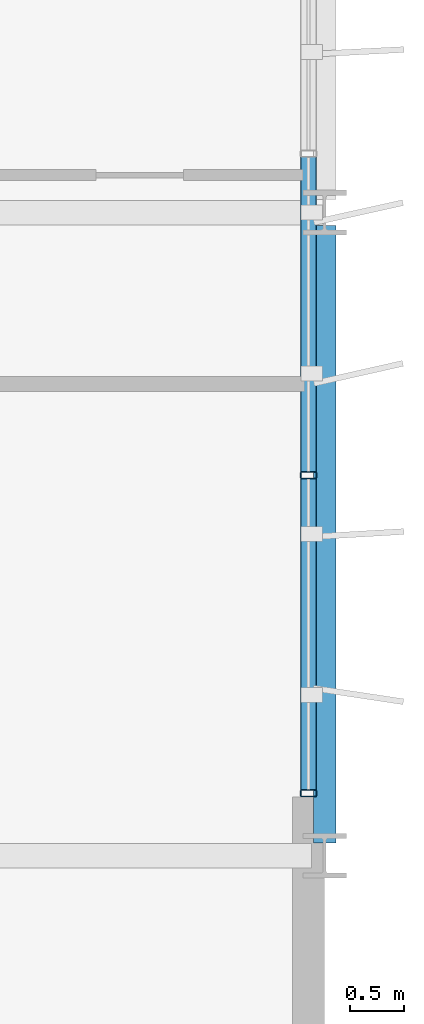
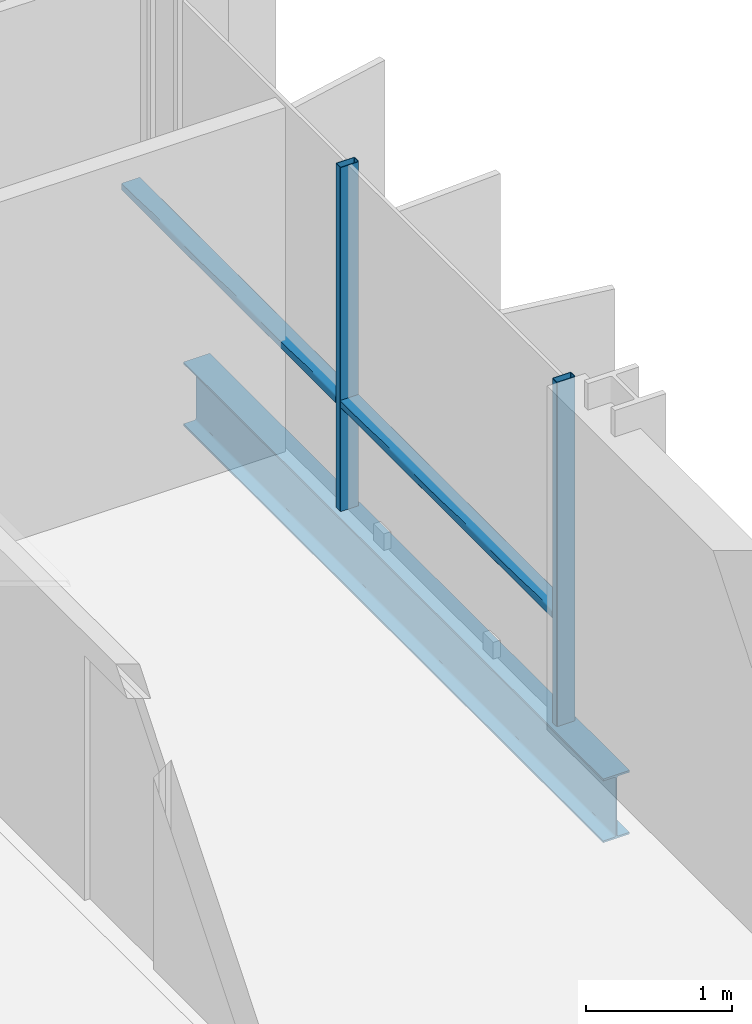
# One storey, part 17 of 38: 4 members, 1 beam, 1 element without a shape of its own.
"""IFC4 building model written with IfcOpenShell, lengths in metres."""

from ifc_helpers import new_model, si_unit, direction, frame, origin, origin_2d, place, context, subcontext, project, spatial, hollow_rectangle, i_section, extrude, material, layer, layer_set, material_profile, profile_set, type_object, element, aggregate, save


model = new_model("IFC4")

# Units and contexts
model_context = context("Model", 3, precision=1e-05, world=origin(), true_north=direction((0.0, 1.0)))
body_context = subcontext(model_context, "Body", "Model", "MODEL_VIEW")
ifc_project = project(units=[si_unit("LENGTHUNIT", "METRE"), si_unit("AREAUNIT", "SQUARE_METRE"), si_unit("VOLUMEUNIT", "CUBIC_METRE"), si_unit("PLANEANGLEUNIT", "RADIAN"), si_unit("MASSUNIT", "GRAM", prefix="KILO")], contexts=[model_context])

# Site, building, storey
site_placement = place(None, origin())
site = spatial("IfcSite", under=ifc_project, at=site_placement, CompositionType="ELEMENT")
building_placement = place(site_placement, origin())
building = spatial("IfcBuilding", under=site, at=building_placement, Name="Brevholm Reach", CompositionType="ELEMENT")
storey_placement = place(building_placement, frame((0.0, 0.0, 141.800048828125)))
storey = spatial("IfcBuildingStorey", under=building, at=storey_placement, Name="L42", CompositionType="ELEMENT", Elevation=141.800048828125)

# Beam
ifc_material_1 = material(Name="Structural Steel S355J2", Category="steel")
ifc_material_profile_1 = material_profile(ifc_material_1, i_section(OverallWidth=0.209228515625, OverallDepth=0.533203125, WebThickness=0.010009765625, FlangeThickness=0.015625, FilletRadius=0.0126953125, at=origin_2d()), Name="UKB 533x210x92")
ifc_profile_set_1 = profile_set([ifc_material_profile_1], Name="Structural Steel S355J2")
beam_type = type_object("IfcBeamType", Name="BM-SP533", PredefinedType="SPANDREL", material=ifc_profile_set_1)
beam_placement = place(storey_placement, frame((60.0, 10.1201171875, -0.486572265625), z_axis=(0.0, 1.0, 0.0), x_axis=(-1.0, 0.0, 0.0)))
element("IfcBeam", 1, at=beam_placement, inside=storey, type_object=beam_type, Name="L42 SP-02 Framing Beam", PredefinedType="SPANDREL", context=body_context, shape_type="SweptSolid", body=[
    extrude(i_section(OverallWidth=0.209228515625, OverallDepth=0.533203125, WebThickness=0.010009765625, FlangeThickness=0.015625, FilletRadius=0.0126953125, at=origin_2d()), origin(), (0.0, 0.0, 1.0), 5.759765625),
])

# Curtain wall, members
ifc_material_2 = material(Name="Dark Anodised Aluminium 6063-T6 and Solar-Control Glass", Category="aluminium")
ifc_layer = layer(ifc_material_2, 0.14990234375)
ifc_layer_set = layer_set([ifc_layer], Name="Dark Anodised Aluminium 6063-T6 and Solar-Control Glass")
curtain_wall_type = type_object("IfcCurtainWallType", Name="CW-01", PredefinedType="NOTDEFINED", material=ifc_layer_set)
curtain_wall_placement = place(storey_placement, origin())
curtain_wall = element("IfcCurtainWall", 2, at=curtain_wall_placement, inside=storey, type_object=curtain_wall_type, Name="L42 Curtain Wall CW-01", PredefinedType="NOTDEFINED")
ifc_material_3 = material(Name="Dark Anodised Aluminium 6063-T6", Category="aluminium")
ifc_material_profile_2 = material_profile(ifc_material_3, hollow_rectangle(XDim=0.06494140625, YDim=0.14990234375, WallThickness=0.0048828125, InnerFilletRadius=0.0048828125, OuterFilletRadius=0.010009765625, at=origin_2d()), Name="RHS 150x65x5")
ifc_profile_set_2 = profile_set([ifc_material_profile_2], Name="Dark Anodised Aluminium 6063-T6")
member_type_1 = type_object("IfcMemberType", Name="CWM-150", PredefinedType="MULLION", material=ifc_profile_set_2)
member_1_placement = place(storey_placement, frame((59.85009765625, 10.58251953125, 0.0), z_axis=(0.0, 0.0, 1.0), x_axis=(0.0, 1.0, 0.0)))
member_1 = element("IfcMember", 3, at=member_1_placement, type_object=member_type_1, Name="CM-150 Mullion 1", PredefinedType="MULLION", context=body_context, shape_type="SweptSolid", body=[
    extrude(hollow_rectangle(XDim=0.06494140625, YDim=0.14990234375, WallThickness=0.0048828125, InnerFilletRadius=0.0048828125, OuterFilletRadius=0.010009765625, at=origin_2d()), origin(), (0.0, 0.0, 1.0), 2.8798828125),
])
member_2_placement = place(storey_placement, frame((59.85009765625, 13.550048828125, 0.0), z_axis=(0.0, 0.0, 1.0), x_axis=(0.0, 1.0, 0.0)))
member_2 = element("IfcMember", 4, at=member_2_placement, type_object=member_type_1, Name="CM-150 Mullion 2", PredefinedType="MULLION", context=body_context, shape_type="SweptSolid", body=[
    extrude(hollow_rectangle(XDim=0.06494140625, YDim=0.14990234375, WallThickness=0.0048828125, InnerFilletRadius=0.0048828125, OuterFilletRadius=0.010009765625, at=origin_2d()), origin(), (0.0, 0.0, 1.0), 2.8798828125),
])
ifc_material_4 = material(Name="Dark Anodised Aluminium 6063-T6", Category="aluminium")
ifc_material_profile_3 = material_profile(ifc_material_4, hollow_rectangle(XDim=0.06494140625, YDim=0.14990234375, WallThickness=0.0048828125, InnerFilletRadius=0.0048828125, OuterFilletRadius=0.010009765625, at=origin_2d()), Name="RHS 150x65x5")
ifc_profile_set_3 = profile_set([ifc_material_profile_3], Name="Dark Anodised Aluminium 6063-T6")
member_type_2 = type_object("IfcMemberType", Name="CWT-150", PredefinedType="NOTDEFINED", material=ifc_profile_set_3)
member_3_placement = place(storey_placement, frame((59.85009765625, 10.614990234375, 0.89990234375), z_axis=(0.0, 1.0, 0.0), x_axis=(0.0, 0.0, 1.0)))
member_3 = element("IfcMember", 5, at=member_3_placement, type_object=member_type_2, Name="CT-150 Transom 1.1", ObjectType="TRANSOM", PredefinedType="USERDEFINED", context=body_context, shape_type="SweptSolid", body=[
    extrude(hollow_rectangle(XDim=0.06494140625, YDim=0.14990234375, WallThickness=0.0048828125, InnerFilletRadius=0.0048828125, OuterFilletRadius=0.010009765625, at=origin_2d()), origin(), (0.0, 0.0, 1.0), 2.902587890625),
])
member_4_placement = place(storey_placement, frame((59.85009765625, 13.58251953125, 0.89990234375), z_axis=(0.0, 1.0, 0.0), x_axis=(0.0, 0.0, 1.0)))
member_4 = element("IfcMember", 6, at=member_4_placement, type_object=member_type_2, Name="CT-150 Transom 2.1", ObjectType="TRANSOM", PredefinedType="USERDEFINED", context=body_context, shape_type="SweptSolid", body=[
    extrude(hollow_rectangle(XDim=0.06494140625, YDim=0.14990234375, WallThickness=0.0048828125, InnerFilletRadius=0.0048828125, OuterFilletRadius=0.010009765625, at=origin_2d()), origin(), (0.0, 0.0, 1.0), 2.93505859375),
])
aggregate(curtain_wall, [member_1, member_2, member_3, member_4])

save(model, "model.ifc")
